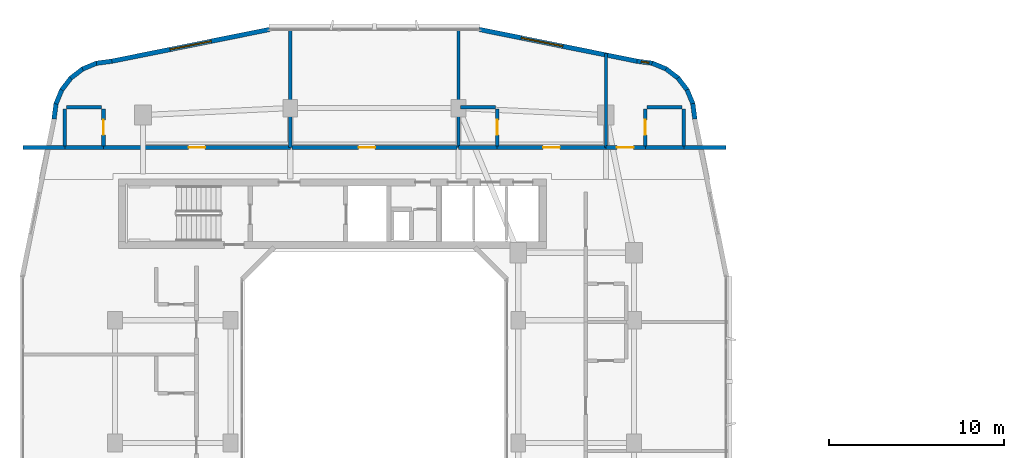
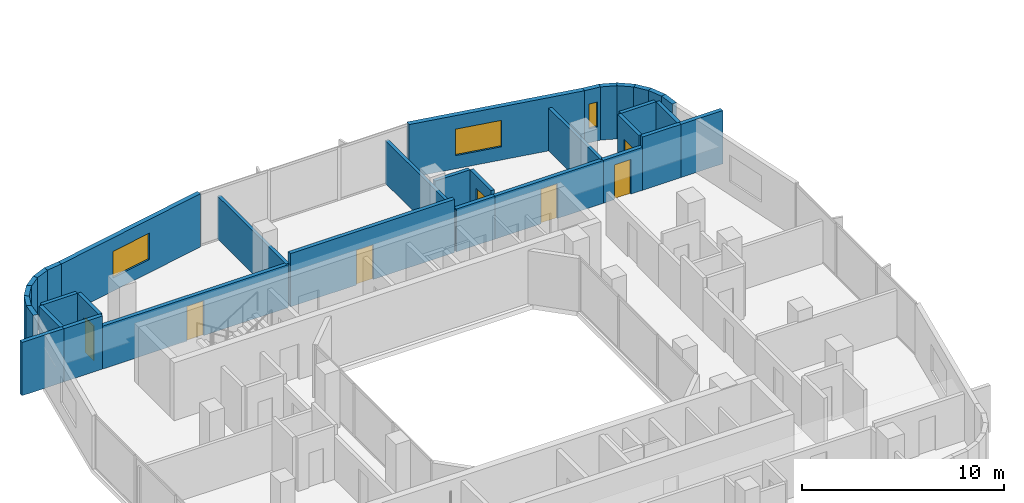
# One storey, part 16 of 26: 34 walls, 7 doors, 3 windows, 10 openings.
"""IFC4 building model written with IfcOpenShell, lengths in metres."""

from ifc_helpers import new_model, si_unit, derived_unit, direction, frame, frame_2d, origin, place, context, subcontext, project, spatial, rectangle, extrude, material, layer, layer_set, type_object, element, fill, save


model = new_model("IFC4")

# Units and contexts
model_context = context("Model", 3, precision=1e-05, world=origin(), true_north=direction((0.0, 1.0)))
body_context = subcontext(model_context, "Body", "Model", "MODEL_VIEW")
ifc_project = project(units=[si_unit("LENGTHUNIT", "METRE"), si_unit("AREAUNIT", "SQUARE_METRE"), si_unit("VOLUMEUNIT", "CUBIC_METRE"), si_unit("PLANEANGLEUNIT", "RADIAN"), si_unit("MASSUNIT", "GRAM", prefix="KILO"), derived_unit("THERMALTRANSMITTANCEUNIT", [(si_unit("POWERUNIT", "WATT"), 1), (si_unit("LENGTHUNIT", "METRE"), -2), (si_unit("THERMODYNAMICTEMPERATUREUNIT", "KELVIN"), -1)])], contexts=[model_context])

# Site, building, storey
site_placement = place(None, origin())
site = spatial("IfcSite", under=ifc_project, at=site_placement, CompositionType="ELEMENT")
building_placement = place(site_placement, origin())
building = spatial("IfcBuilding", under=site, at=building_placement, Name="Kivonza Crest Hotel", CompositionType="ELEMENT")
storey_placement = place(building_placement, frame((0.0, 0.0, 98.5)))
storey = spatial("IfcBuildingStorey", under=building, at=storey_placement, Name="L26", CompositionType="ELEMENT", Elevation=98.5)

# Walls
ifc_material_1 = material(Name="High-density acoustic masonry inter-tenancy wall", Category="masonry")
ifc_layer_1 = layer(ifc_material_1, 0.179931640625)
ifc_layer_set_1 = layer_set([ifc_layer_1], Name="High-density acoustic masonry inter-tenancy wall")
wall_type_1 = type_object("IfcWallType", Name="WL-ACOU-180", PredefinedType="SOLIDWALL", material=ifc_layer_set_1)
for number, where, z_axis, x_axis, name in (
    (1, (16.199951171875, 38.35009765625, 0.0), (0.0, 0.0, 1.0), (0.0, 1.0, 0.0), "L26 interior partition WA-L26-T1N-DIV1"),
    (2, (25.800048828125, 38.35009765625, 0.0), (0.0, 0.0, 1.0), (0.0, 1.0, 0.0), "L26 interior partition WA-L26-T1N-DIV2"),
):
    element("IfcWall", number, at=place(storey_placement, frame(where, z_axis=z_axis, x_axis=x_axis)), inside=storey, type_object=wall_type_1, Name=name, PredefinedType="SOLIDWALL", context=body_context, shape_type="SweptSolid", body=[
        extrude(rectangle(XDim=6.789794921875, YDim=0.179931640625, at=frame_2d((3.39501953125, 0.0))), origin(), (0.0, 0.0, 1.0), 2.594970703125),
    ])
wall_1_placement = place(storey_placement, frame((34.199951171875, 38.35009765625, 0.0), z_axis=(0.0, 0.0, 1.0), x_axis=(0.0, 1.0, 0.0)))
element("IfcWall", 3, at=wall_1_placement, inside=storey, type_object=wall_type_1, Name="L26 interior partition WA-L26-T1N-DIV3", PredefinedType="SOLIDWALL", context=body_context, shape_type="SweptSolid", body=[
    extrude(rectangle(XDim=5.350830078125, YDim=0.179931640625, at=frame_2d((2.67529296875, 0.0))), origin(), (0.0, 0.0, 1.0), 2.594970703125),
])
ifc_material_2 = material(Name="Autoclaved aerated concrete blockwork", Category="masonry")
ifc_layer_2 = layer(ifc_material_2, 0.219970703125)
ifc_layer_set_2 = layer_set([ifc_layer_2], Name="Autoclaved aerated concrete blockwork")
wall_type_2 = type_object("IfcWallType", Name="WL-ACOU-220", PredefinedType="SOLIDWALL", material=ifc_layer_set_2)
wall_2_placement = place(storey_placement, frame((0.9599609375, 38.35009765625, 0.0), z_axis=(0.0, 0.0, 1.0), x_axis=(1.0, 0.0, 0.0)))
element("IfcWall", 4, at=wall_2_placement, inside=storey, type_object=wall_type_2, Name="L26 interior partition WA-L26-N01-XCORR", PredefinedType="SOLIDWALL", context=body_context, shape_type="SweptSolid", body=[
    extrude(rectangle(XDim=2.39013671875, YDim=0.219970703125, at=frame_2d((1.195068359375, 0.0))), origin(), (0.0, 0.0, 1.0), 3.219970703125),
])
wall_3_placement = place(storey_placement, frame((3.35009765625, 38.35009765625, 0.0), z_axis=(0.0, 0.0, 1.0), x_axis=(1.0, 0.0, 0.0)))
element("IfcWall", 5, at=wall_3_placement, inside=storey, type_object=wall_type_2, Name="L26 interior partition WA-L26-N01-BCORR", PredefinedType="SOLIDWALL", context=body_context, shape_type="SweptSolid", body=[
    extrude(rectangle(XDim=2.199951171875, YDim=0.219970703125, at=frame_2d((1.10009765625, 0.0))), origin(), (0.0, 0.0, 1.0), 3.219970703125),
])

# Wall, opening, door
wall_4_placement = place(storey_placement, frame((5.550048828125, 38.35009765625, 0.0), z_axis=(0.0, 0.0, 1.0), x_axis=(1.0, 0.0, 0.0)))
wall_4 = element("IfcWall", 6, at=wall_4_placement, inside=storey, type_object=wall_type_2, Name="L26 interior partition WA-L26-N01-MCORR", PredefinedType="SOLIDWALL", context=body_context, shape_type="SweptSolid", body=[
    extrude(rectangle(XDim=10.64990234375, YDim=0.219970703125, at=frame_2d((5.324951171875, 0.0))), origin(), (0.0, 0.0, 1.0), 2.594970703125),
])
opening_1_placement = place(wall_4_placement, frame((4.85009765625, 0.0, 0.0)))
opening_1 = element("IfcOpeningElement", 7, at=opening_1_placement, cuts=wall_4, Name="Opening DU-60", PredefinedType="OPENING", context=body_context, shape_type="SweptSolid", body=[
    extrude(rectangle(XDim=0.949951171875, YDim=2.10009765625, at=frame_2d((0.47509765625, 1.050048828125))), frame((0.0, 0.1201171875, 0.0), z_axis=(0.0, -1.0, 0.0), x_axis=(1.0, 0.0, 0.0)), (0.0, 0.0, 1.0), 0.239990234375),
])
ifc_material_3 = material(Name="Hardwood timber oak", Category="wood")
door_type_1 = type_object("IfcDoorType", Name="DR-UNIT-950", OperationType="NOTDEFINED", PredefinedType="DOOR", material=ifc_material_3)
door_1_placement = place(opening_1_placement, origin())
door_1 = element("IfcDoor", 8, at=door_1_placement, inside=storey, type_object=door_type_1, Name="L26 N01 guest unit entrance fire door", OperationType="SINGLE_SWING_LEFT", OverallHeight=2.10009765625, OverallWidth=0.949951171875, PredefinedType="DOOR", context=body_context, shape_type="SweptSolid", body=[
    extrude(rectangle(XDim=0.949951171875, YDim=2.10009765625, at=frame_2d((0.47509765625, 1.050048828125))), frame((0.0, 0.02490234375, 0.0), z_axis=(0.0, -1.0, 0.0), x_axis=(1.0, 0.0, 0.0)), (0.0, 0.0, 1.0), 0.050048828125),
])
fill(opening_1, door_1)

wall_5_placement = place(storey_placement, frame((16.300048828125, 38.35009765625, 0.0), z_axis=(0.0, 0.0, 1.0), x_axis=(1.0, 0.0, 0.0)))
wall_5 = element("IfcWall", 9, at=wall_5_placement, inside=storey, type_object=wall_type_2, Name="L26 interior partition WA-L26-HK-MAIN-S", PredefinedType="SOLIDWALL", context=body_context, shape_type="SweptSolid", body=[
    extrude(rectangle(XDim=9.39990234375, YDim=0.219970703125, at=frame_2d((4.699951171875, 0.0))), origin(), (0.0, 0.0, 1.0), 3.219970703125),
])
opening_2_placement = place(wall_5_placement, frame((3.79296875, 0.0, 0.0)))
opening_2 = element("IfcOpeningElement", 10, at=opening_2_placement, cuts=wall_5, Name="Opening DF-60S", PredefinedType="OPENING", context=body_context, shape_type="SweptSolid", body=[
    extrude(rectangle(XDim=0.949951171875, YDim=2.10009765625, at=frame_2d((0.47509765625, 1.050048828125))), frame((0.0, 0.1201171875, 0.0), z_axis=(0.0, -1.0, 0.0), x_axis=(1.0, 0.0, 0.0)), (0.0, 0.0, 1.0), 0.239990234375),
])
door_type_2 = type_object("IfcDoorType", Name="DR-FD60-950", OperationType="NOTDEFINED", PredefinedType="DOOR", material=ifc_material_3)
door_2_placement = place(opening_2_placement, origin())
door_2 = element("IfcDoor", 11, at=door_2_placement, inside=storey, type_object=door_type_2, Name="L26 Housekeeping and Linen Room door", OperationType="SINGLE_SWING_RIGHT", OverallHeight=2.10009765625, OverallWidth=0.949951171875, PredefinedType="DOOR", context=body_context, shape_type="SweptSolid", body=[
    extrude(rectangle(XDim=0.949951171875, YDim=2.10009765625, at=frame_2d((0.47509765625, 1.050048828125))), frame((0.0, 0.02490234375, 0.0), z_axis=(0.0, -1.0, 0.0), x_axis=(1.0, 0.0, 0.0)), (0.0, 0.0, 1.0), 0.050048828125),
])
fill(opening_2, door_2)

# Wall
wall_6_placement = place(storey_placement, frame((25.800048828125, 38.35009765625, 0.0), z_axis=(0.0, 0.0, 1.0), x_axis=(1.0, 0.0, 0.0)))
element("IfcWall", 12, at=wall_6_placement, inside=storey, type_object=wall_type_2, Name="L26 interior partition WA-L26-N02-BCORR", PredefinedType="SOLIDWALL", context=body_context, shape_type="SweptSolid", body=[
    extrude(rectangle(XDim=2.199951171875, YDim=0.219970703125, at=frame_2d((1.10009765625, 0.0))), origin(), (0.0, 0.0, 1.0), 2.594970703125),
])

# Wall, opening, door
wall_7_placement = place(storey_placement, frame((28.0, 38.35009765625, 0.0), z_axis=(0.0, 0.0, 1.0), x_axis=(1.0, 0.0, 0.0)))
wall_7 = element("IfcWall", 13, at=wall_7_placement, inside=storey, type_object=wall_type_2, Name="L26 interior partition WA-L26-N02-MCORR", PredefinedType="SOLIDWALL", context=body_context, shape_type="SweptSolid", body=[
    extrude(rectangle(XDim=6.199951171875, YDim=0.219970703125, at=frame_2d((3.10009765625, 0.0))), origin(), (0.0, 0.0, 1.0), 2.594970703125),
])
opening_3_placement = place(wall_7_placement, frame((2.625, 0.0, 0.0)))
opening_3 = element("IfcOpeningElement", 14, at=opening_3_placement, cuts=wall_7, Name="Opening DU-60", PredefinedType="OPENING", context=body_context, shape_type="SweptSolid", body=[
    extrude(rectangle(XDim=0.949951171875, YDim=2.10009765625, at=frame_2d((0.47509765625, 1.050048828125))), frame((0.0, 0.1201171875, 0.0), z_axis=(0.0, -1.0, 0.0), x_axis=(1.0, 0.0, 0.0)), (0.0, 0.0, 1.0), 0.239990234375),
])
door_3_placement = place(opening_3_placement, origin())
door_3 = element("IfcDoor", 15, at=door_3_placement, inside=storey, type_object=door_type_1, Name="L26 N02 guest unit entrance fire door", OperationType="SINGLE_SWING_RIGHT", OverallHeight=2.10009765625, OverallWidth=0.949951171875, PredefinedType="DOOR", context=body_context, shape_type="SweptSolid", body=[
    extrude(rectangle(XDim=0.949951171875, YDim=2.10009765625, at=frame_2d((0.47509765625, 1.050048828125))), frame((0.0, 0.02490234375, 0.0), z_axis=(0.0, -1.0, 0.0), x_axis=(1.0, 0.0, 0.0)), (0.0, 0.0, 1.0), 0.050048828125),
])
fill(opening_3, door_3)

# Walls
wall_8_placement = place(storey_placement, frame((38.64990234375, 38.35009765625, 0.0), z_axis=(0.0, 0.0, 1.0), x_axis=(1.0, 0.0, 0.0)))
element("IfcWall", 16, at=wall_8_placement, inside=storey, type_object=wall_type_2, Name="L26 interior partition WA-L26-N03-XCORR", PredefinedType="SOLIDWALL", context=body_context, shape_type="SweptSolid", body=[
    extrude(rectangle(XDim=2.39013671875, YDim=0.219970703125, at=frame_2d((1.195068359375, 0.0))), origin(), (0.0, 0.0, 1.0), 3.219970703125),
])
wall_9_placement = place(storey_placement, frame((36.449951171875, 38.35009765625, 0.0), z_axis=(0.0, 0.0, 1.0), x_axis=(1.0, 0.0, 0.0)))
element("IfcWall", 17, at=wall_9_placement, inside=storey, type_object=wall_type_2, Name="L26 interior partition WA-L26-N03-BCORR", PredefinedType="SOLIDWALL", context=body_context, shape_type="SweptSolid", body=[
    extrude(rectangle(XDim=2.199951171875, YDim=0.219970703125, at=frame_2d((1.10009765625, 0.0))), origin(), (0.0, 0.0, 1.0), 3.219970703125),
])

# Wall, opening, door
wall_10_placement = place(storey_placement, frame((34.199951171875, 38.35009765625, 0.0), z_axis=(0.0, 0.0, 1.0), x_axis=(1.0, 0.0, 0.0)))
wall_10 = element("IfcWall", 18, at=wall_10_placement, inside=storey, type_object=wall_type_2, Name="L26 interior partition WA-L26-N03-MCORR", PredefinedType="SOLIDWALL", context=body_context, shape_type="SweptSolid", body=[
    extrude(rectangle(XDim=2.25, YDim=0.219970703125, at=frame_2d((1.125, 0.0))), origin(), (0.0, 0.0, 1.0), 2.594970703125),
])
opening_4_placement = place(wall_10_placement, frame((0.6298828125, 0.0, 0.0)))
opening_4 = element("IfcOpeningElement", 19, at=opening_4_placement, cuts=wall_10, Name="Opening DU-60", PredefinedType="OPENING", context=body_context, shape_type="SweptSolid", body=[
    extrude(rectangle(XDim=0.949951171875, YDim=2.10009765625, at=frame_2d((0.47509765625, 1.050048828125))), frame((0.0, 0.1201171875, 0.0), z_axis=(0.0, -1.0, 0.0), x_axis=(1.0, 0.0, 0.0)), (0.0, 0.0, 1.0), 0.239990234375),
])
door_4_placement = place(opening_4_placement, origin())
door_4 = element("IfcDoor", 20, at=door_4_placement, inside=storey, type_object=door_type_1, Name="L26 N03 guest unit entrance fire door", OperationType="SINGLE_SWING_LEFT", OverallHeight=2.10009765625, OverallWidth=0.949951171875, PredefinedType="DOOR", context=body_context, shape_type="SweptSolid", body=[
    extrude(rectangle(XDim=0.949951171875, YDim=2.10009765625, at=frame_2d((0.47509765625, 1.050048828125))), frame((0.0, 0.02490234375, 0.0), z_axis=(0.0, -1.0, 0.0), x_axis=(1.0, 0.0, 0.0)), (0.0, 0.0, 1.0), 0.050048828125),
])
fill(opening_4, door_4)

# Walls
ifc_material_4 = material(Name="Precast concrete C40/50", Category="concrete")
ifc_layer_3 = layer(ifc_material_4, 0.260009765625)
ifc_layer_set_3 = layer_set([ifc_layer_3], Name="Precast concrete C40/50")
wall_type_3 = type_object("IfcWallType", Name="WL-EXT-260", PredefinedType="STANDARD", material=ifc_layer_set_3)
wall_11_placement = place(storey_placement, frame((39.27197265625, 39.97509765625, 0.0), z_axis=(0.0, 0.0, 1.0), x_axis=(-0.130953706898, 0.991388484223, 0.0)))
element("IfcWall", 21, at=wall_11_placement, inside=storey, type_object=wall_type_3, Name="L26 T1 exterior insulated wall 19", PredefinedType="STANDARD", context=body_context, shape_type="SweptSolid", body=[
    extrude(rectangle(XDim=0.885498046875, YDim=0.260009765625, at=frame_2d((0.44287109375, 0.0))), origin(), (0.0, 0.0, 1.0), 3.219970703125),
])
wall_12_placement = place(storey_placement, frame((39.174072265625, 40.806884765625, 0.0), z_axis=(0.0, 0.0, 1.0), x_axis=(-0.383290660547, 0.923627776508, 0.0)))
element("IfcWall", 22, at=wall_12_placement, inside=storey, type_object=wall_type_3, Name="L26 T1 exterior insulated wall 20", PredefinedType="STANDARD", context=body_context, shape_type="SweptSolid", body=[
    extrude(rectangle(XDim=0.9033203125, YDim=0.260009765625, at=frame_2d((0.45166015625, 0.0))), origin(), (0.0, 0.0, 1.0), 3.219970703125),
])
wall_13_placement = place(storey_placement, frame((38.85595703125, 41.60107421875, 0.0), z_axis=(0.0, 0.0, 1.0), x_axis=(-0.608624690463, 0.793458244748, 0.0)))
element("IfcWall", 23, at=wall_13_placement, inside=storey, type_object=wall_type_3, Name="L26 T1 exterior insulated wall 21", PredefinedType="STANDARD", context=body_context, shape_type="SweptSolid", body=[
    extrude(rectangle(XDim=0.902099609375, YDim=0.260009765625, at=frame_2d((0.451171875, 0.0))), origin(), (0.0, 0.0, 1.0), 3.219970703125),
])
wall_14_placement = place(storey_placement, frame((38.344970703125, 42.285888671875, 0.0), z_axis=(0.0, 0.0, 1.0), x_axis=(-0.793558456666, 0.608494022858, 0.0)))
element("IfcWall", 24, at=wall_14_placement, inside=storey, type_object=wall_type_3, Name="L26 T1 exterior insulated wall 22", PredefinedType="STANDARD", context=body_context, shape_type="SweptSolid", body=[
    extrude(rectangle(XDim=0.90234375, YDim=0.260009765625, at=frame_2d((0.451171875, 0.0))), origin(), (0.0, 0.0, 1.0), 3.219970703125),
])
wall_15_placement = place(storey_placement, frame((37.673095703125, 42.81396484375, 0.0), z_axis=(0.0, 0.0, 1.0), x_axis=(-0.923683767999, 0.383155708213, 0.0)))
element("IfcWall", 25, at=wall_15_placement, inside=storey, type_object=wall_type_3, Name="L26 T1 exterior insulated wall 23", PredefinedType="STANDARD", context=body_context, shape_type="SweptSolid", body=[
    extrude(rectangle(XDim=0.90283203125, YDim=0.260009765625, at=frame_2d((0.451416015625, 0.0))), origin(), (0.0, 0.0, 1.0), 3.219970703125),
])

# Wall, opening, window
wall_16_placement = place(storey_placement, frame((36.887939453125, 43.152099609375, 0.0), z_axis=(0.0, 0.0, 1.0), x_axis=(-0.991487658083, 0.130200706103, 0.0)))
wall_16 = element("IfcWall", 26, at=wall_16_placement, inside=storey, type_object=wall_type_3, Name="L26 T1 exterior insulated wall 24", PredefinedType="STANDARD", context=body_context, shape_type="SweptSolid", body=[
    extrude(rectangle(XDim=0.920654296875, YDim=0.260009765625, at=frame_2d((0.46044921875, 0.0))), origin(), (0.0, 0.0, 1.0), 3.219970703125),
])
opening_5_placement = place(wall_16_placement, frame((0.235107421875, 0.0, 0.85009765625)))
opening_5 = element("IfcOpeningElement", 27, at=opening_5_placement, cuts=wall_16, Name="Opening WN-11", PredefinedType="OPENING", context=body_context, shape_type="SweptSolid", body=[
    extrude(rectangle(XDim=0.449951171875, YDim=1.5, at=frame_2d((0.22509765625, 0.75))), frame((0.0, 0.14013671875, 0.0), z_axis=(0.0, -1.0, 0.0), x_axis=(1.0, 0.0, 0.0)), (0.0, 0.0, 1.0), 0.280029296875),
])
ifc_material_5 = material(Name="Thermally broken bronze aluminium and low-E double glazing", Category="aluminium")
window_type_1 = type_object("IfcWindowType", Name="WN-045x150", PartitioningType="SINGLE_PANEL", PredefinedType="WINDOW", material=ifc_material_5)
window_1_placement = place(opening_5_placement, origin())
window_1 = element("IfcWindow", 28, at=window_1_placement, inside=storey, type_object=window_type_1, Name="L26 corner vision window 1", OverallHeight=1.5, OverallWidth=0.449951171875, PartitioningType="SINGLE_PANEL", PredefinedType="WINDOW", context=body_context, shape_type="SweptSolid", body=[
    extrude(rectangle(XDim=0.449951171875, YDim=1.5, at=frame_2d((0.22509765625, 0.75))), frame((0.0, 0.030029296875, 0.0), z_axis=(0.0, -1.0, 0.0), x_axis=(1.0, 0.0, 0.0)), (0.0, 0.0, 1.0), 0.06005859375),
])
fill(opening_5, window_1)

wall_17_placement = place(storey_placement, frame((35.98193359375, 43.27099609375, 0.0), z_axis=(0.0, 0.0, 1.0), x_axis=(-0.980315963543, 0.197435082048, 0.0)))
wall_17 = element("IfcWall", 29, at=wall_17_placement, inside=storey, type_object=wall_type_3, Name="L26 T1 exterior insulated wall 25", PredefinedType="STANDARD", context=body_context, shape_type="SweptSolid", body=[
    extrude(rectangle(XDim=9.1826171875, YDim=0.260009765625, at=frame_2d((4.59130859375, 0.0))), origin(), (0.0, 0.0, 1.0), 3.219970703125),
])
opening_6_placement = place(wall_17_placement, frame((4.3369140625, 0.0, 0.800048828125)))
opening_6 = element("IfcOpeningElement", 30, at=opening_6_placement, cuts=wall_17, Name="Opening WN-05", PredefinedType="OPENING", context=body_context, shape_type="SweptSolid", body=[
    extrude(rectangle(XDim=2.39990234375, YDim=1.60009765625, at=frame_2d((1.199951171875, 0.800048828125))), frame((0.0, 0.14013671875, 0.0), z_axis=(0.0, -1.0, 0.0), x_axis=(1.0, 0.0, 0.0)), (0.0, 0.0, 1.0), 0.280029296875),
])
window_type_2 = type_object("IfcWindowType", Name="WN-240x160", PartitioningType="TRIPLE_PANEL_VERTICAL", PredefinedType="WINDOW", material=ifc_material_5)
window_2_placement = place(opening_6_placement, origin())
window_2 = element("IfcWindow", 31, at=window_2_placement, inside=storey, type_object=window_type_2, Name="L26 T1 facade window 25", OverallHeight=1.60009765625, OverallWidth=2.39990234375, PartitioningType="SINGLE_PANEL", PredefinedType="WINDOW", context=body_context, shape_type="SweptSolid", body=[
    extrude(rectangle(XDim=2.39990234375, YDim=1.60009765625, at=frame_2d((1.199951171875, 0.800048828125))), frame((0.0, 0.030029296875, 0.0), z_axis=(0.0, -1.0, 0.0), x_axis=(1.0, 0.0, 0.0)), (0.0, 0.0, 1.0), 0.06005859375),
])
fill(opening_6, window_2)

wall_18_placement = place(storey_placement, frame((15.02001953125, 45.083984375, 0.0), z_axis=(0.0, 0.0, 1.0), x_axis=(-0.980315963543, -0.197435082048, 0.0)))
wall_18 = element("IfcWall", 32, at=wall_18_placement, inside=storey, type_object=wall_type_3, Name="L26 T1 exterior insulated wall 27", PredefinedType="STANDARD", context=body_context, shape_type="SweptSolid", body=[
    extrude(rectangle(XDim=9.1826171875, YDim=0.260009765625, at=frame_2d((4.59130859375, 0.0))), origin(), (0.0, 0.0, 1.0), 3.219970703125),
])
opening_7_placement = place(wall_18_placement, frame((3.39111328125, 0.0, 0.800048828125)))
opening_7 = element("IfcOpeningElement", 33, at=opening_7_placement, cuts=wall_18, Name="Opening WN-05", PredefinedType="OPENING", context=body_context, shape_type="SweptSolid", body=[
    extrude(rectangle(XDim=2.39990234375, YDim=1.60009765625, at=frame_2d((1.199951171875, 0.800048828125))), frame((0.0, 0.14013671875, 0.0), z_axis=(0.0, -1.0, 0.0), x_axis=(1.0, 0.0, 0.0)), (0.0, 0.0, 1.0), 0.280029296875),
])
window_3_placement = place(opening_7_placement, origin())
window_3 = element("IfcWindow", 34, at=window_3_placement, inside=storey, type_object=window_type_2, Name="L26 T1 facade window 27", OverallHeight=1.60009765625, OverallWidth=2.39990234375, PartitioningType="SINGLE_PANEL", PredefinedType="WINDOW", context=body_context, shape_type="SweptSolid", body=[
    extrude(rectangle(XDim=2.39990234375, YDim=1.60009765625, at=frame_2d((1.199951171875, 0.800048828125))), frame((0.0, 0.030029296875, 0.0), z_axis=(0.0, -1.0, 0.0), x_axis=(1.0, 0.0, 0.0)), (0.0, 0.0, 1.0), 0.06005859375),
])
fill(opening_7, window_3)

# Walls
wall_19_placement = place(storey_placement, frame((6.02490234375, 43.27197265625, 0.0), z_axis=(0.0, 0.0, 1.0), x_axis=(-0.991388484223, -0.130953706898, 0.0)))
element("IfcWall", 35, at=wall_19_placement, inside=storey, type_object=wall_type_3, Name="L26 T1 exterior insulated wall 28", PredefinedType="STANDARD", context=body_context, shape_type="SweptSolid", body=[
    extrude(rectangle(XDim=0.885498046875, YDim=0.260009765625, at=frame_2d((0.44287109375, 0.0))), origin(), (0.0, 0.0, 1.0), 3.219970703125),
])
wall_20_placement = place(storey_placement, frame((5.193115234375, 43.174072265625, 0.0), z_axis=(0.0, 0.0, 1.0), x_axis=(-0.923627776508, -0.383290660547, 0.0)))
element("IfcWall", 36, at=wall_20_placement, inside=storey, type_object=wall_type_3, Name="L26 T1 exterior insulated wall 29", PredefinedType="STANDARD", context=body_context, shape_type="SweptSolid", body=[
    extrude(rectangle(XDim=0.9033203125, YDim=0.260009765625, at=frame_2d((0.45166015625, 0.0))), origin(), (0.0, 0.0, 1.0), 3.219970703125),
])
wall_21_placement = place(storey_placement, frame((4.39892578125, 42.85595703125, 0.0), z_axis=(0.0, 0.0, 1.0), x_axis=(-0.793458244748, -0.608624690463, 0.0)))
element("IfcWall", 37, at=wall_21_placement, inside=storey, type_object=wall_type_3, Name="L26 T1 exterior insulated wall 30", PredefinedType="STANDARD", context=body_context, shape_type="SweptSolid", body=[
    extrude(rectangle(XDim=0.902099609375, YDim=0.260009765625, at=frame_2d((0.451171875, 0.0))), origin(), (0.0, 0.0, 1.0), 3.219970703125),
])
wall_22_placement = place(storey_placement, frame((3.714111328125, 42.344970703125, 0.0), z_axis=(0.0, 0.0, 1.0), x_axis=(-0.608494022858, -0.793558456666, 0.0)))
element("IfcWall", 38, at=wall_22_placement, inside=storey, type_object=wall_type_3, Name="L26 T1 exterior insulated wall 31", PredefinedType="STANDARD", context=body_context, shape_type="SweptSolid", body=[
    extrude(rectangle(XDim=0.90234375, YDim=0.260009765625, at=frame_2d((0.451171875, 0.0))), origin(), (0.0, 0.0, 1.0), 3.219970703125),
])
wall_23_placement = place(storey_placement, frame((3.18603515625, 41.673095703125, 0.0), z_axis=(0.0, 0.0, 1.0), x_axis=(-0.383155708213, -0.923683767999, 0.0)))
element("IfcWall", 39, at=wall_23_placement, inside=storey, type_object=wall_type_3, Name="L26 T1 exterior insulated wall 32", PredefinedType="STANDARD", context=body_context, shape_type="SweptSolid", body=[
    extrude(rectangle(XDim=0.90283203125, YDim=0.260009765625, at=frame_2d((0.451416015625, 0.0))), origin(), (0.0, 0.0, 1.0), 3.219970703125),
])
wall_24_placement = place(storey_placement, frame((2.847900390625, 40.887939453125, 0.0), z_axis=(0.0, 0.0, 1.0), x_axis=(-0.130200706103, -0.991487658083, 0.0)))
element("IfcWall", 40, at=wall_24_placement, inside=storey, type_object=wall_type_3, Name="L26 T1 exterior insulated wall 33", PredefinedType="STANDARD", context=body_context, shape_type="SweptSolid", body=[
    extrude(rectangle(XDim=0.920654296875, YDim=0.260009765625, at=frame_2d((0.46044921875, 0.0))), origin(), (0.0, 0.0, 1.0), 3.219970703125),
])

# Wall, opening, door
ifc_material_6 = material(Name="Moisture-resistant plumbing chase partition wall", Category="gypsum")
ifc_layer_4 = layer(ifc_material_6, 0.199951171875)
ifc_layer_set_4 = layer_set([ifc_layer_4], Name="Moisture-resistant plumbing chase partition wall")
wall_type_4 = type_object("IfcWallType", Name="WL-PLUMB-200", PredefinedType="PLUMBINGWALL", material=ifc_layer_set_4)
wall_25_placement = place(storey_placement, frame((5.550048828125, 38.449951171875, 0.0), z_axis=(0.0, 0.0, 1.0), x_axis=(0.0, 1.0, 0.0)))
wall_25 = element("IfcWall", 41, at=wall_25_placement, inside=storey, type_object=wall_type_4, Name="L26 interior partition WW-L26-N01-BV", PredefinedType="PLUMBINGWALL", context=body_context, shape_type="SweptSolid", body=[
    extrude(rectangle(XDim=2.10009765625, YDim=0.199951171875, at=frame_2d((1.050048828125, 0.0))), origin(), (0.0, 0.0, 1.0), 3.219970703125),
])
opening_8_placement = place(wall_25_placement, frame((0.625, 0.0, 0.0)))
opening_8 = element("IfcOpeningElement", 42, at=opening_8_placement, cuts=wall_25, Name="Opening DI-85", PredefinedType="OPENING", context=body_context, shape_type="SweptSolid", body=[
    extrude(rectangle(XDim=0.85009765625, YDim=2.10009765625, at=frame_2d((0.425048828125, 1.050048828125))), frame((0.0, 0.10986328125, 0.0), z_axis=(0.0, -1.0, 0.0), x_axis=(1.0, 0.0, 0.0)), (0.0, 0.0, 1.0), 0.219970703125),
])
door_type_3 = type_object("IfcDoorType", Name="DR-INT-850", OperationType="NOTDEFINED", PredefinedType="DOOR", material=ifc_material_3)
door_5_placement = place(opening_8_placement, frame((0.85009765625, 0.0, 0.0), z_axis=(0.0, 0.0, 1.0), x_axis=(-1.0, 0.0, 0.0)))
door_5 = element("IfcDoor", 43, at=door_5_placement, inside=storey, type_object=door_type_3, Name="L26 N01 en-suite bathroom door", OperationType="SINGLE_SWING_RIGHT", OverallHeight=2.10009765625, OverallWidth=0.85009765625, PredefinedType="DOOR", context=body_context, shape_type="SweptSolid", body=[
    extrude(rectangle(XDim=0.85009765625, YDim=2.10009765625, at=frame_2d((0.425048828125, 1.050048828125))), frame((0.0, 0.02490234375, 0.0), z_axis=(0.0, -1.0, 0.0), x_axis=(1.0, 0.0, 0.0)), (0.0, 0.0, 1.0), 0.050048828125),
])
fill(opening_8, door_5)

# Walls
wall_26_placement = place(storey_placement, frame((3.449951171875, 40.64990234375, 0.0), z_axis=(0.0, 0.0, 1.0), x_axis=(1.0, 0.0, 0.0)))
element("IfcWall", 44, at=wall_26_placement, inside=storey, type_object=wall_type_4, Name="L26 interior partition WW-L26-N01-BH", PredefinedType="PLUMBINGWALL", context=body_context, shape_type="SweptSolid", body=[
    extrude(rectangle(XDim=2.0, YDim=0.199951171875, at=frame_2d((1.0, 0.0))), origin(), (0.0, 0.0, 1.0), 3.219970703125),
])
wall_27_placement = place(storey_placement, frame((3.35009765625, 38.449951171875, 0.0), z_axis=(0.0, 0.0, 1.0), x_axis=(0.0, 1.0, 0.0)))
element("IfcWall", 45, at=wall_27_placement, inside=storey, type_object=wall_type_4, Name="L26 interior partition WW-L26-N01-BVW", PredefinedType="PLUMBINGWALL", context=body_context, shape_type="SweptSolid", body=[
    extrude(rectangle(XDim=2.10009765625, YDim=0.199951171875, at=frame_2d((1.050048828125, 0.0))), origin(), (0.0, 0.0, 1.0), 3.219970703125),
])

# Wall, opening, door
wall_28_placement = place(storey_placement, frame((28.0, 38.449951171875, 0.0), z_axis=(0.0, 0.0, 1.0), x_axis=(0.0, 1.0, 0.0)))
wall_28 = element("IfcWall", 46, at=wall_28_placement, inside=storey, type_object=wall_type_4, Name="L26 interior partition WW-L26-N02-BV", PredefinedType="PLUMBINGWALL", context=body_context, shape_type="SweptSolid", body=[
    extrude(rectangle(XDim=2.10009765625, YDim=0.199951171875, at=frame_2d((1.050048828125, 0.0))), origin(), (0.0, 0.0, 1.0), 2.8349609375),
])
opening_9_placement = place(wall_28_placement, frame((0.625, 0.0, 0.0)))
opening_9 = element("IfcOpeningElement", 47, at=opening_9_placement, cuts=wall_28, Name="Opening DI-85", PredefinedType="OPENING", context=body_context, shape_type="SweptSolid", body=[
    extrude(rectangle(XDim=0.85009765625, YDim=2.10009765625, at=frame_2d((0.425048828125, 1.050048828125))), frame((0.0, 0.10986328125, 0.0), z_axis=(0.0, -1.0, 0.0), x_axis=(1.0, 0.0, 0.0)), (0.0, 0.0, 1.0), 0.219970703125),
])
door_6_placement = place(opening_9_placement, frame((0.85009765625, 0.0, 0.0), z_axis=(0.0, 0.0, 1.0), x_axis=(-1.0, 0.0, 0.0)))
door_6 = element("IfcDoor", 48, at=door_6_placement, inside=storey, type_object=door_type_3, Name="L26 N02 en-suite bathroom door", OperationType="SINGLE_SWING_LEFT", OverallHeight=2.10009765625, OverallWidth=0.85009765625, PredefinedType="DOOR", context=body_context, shape_type="SweptSolid", body=[
    extrude(rectangle(XDim=0.85009765625, YDim=2.10009765625, at=frame_2d((0.425048828125, 1.050048828125))), frame((0.0, 0.02490234375, 0.0), z_axis=(0.0, -1.0, 0.0), x_axis=(1.0, 0.0, 0.0)), (0.0, 0.0, 1.0), 0.050048828125),
])
fill(opening_9, door_6)

# Wall
wall_29_placement = place(storey_placement, frame((25.89990234375, 40.64990234375, 0.0), z_axis=(0.0, 0.0, 1.0), x_axis=(1.0, 0.0, 0.0)))
element("IfcWall", 49, at=wall_29_placement, inside=storey, type_object=wall_type_4, Name="L26 interior partition WW-L26-N02-BH", PredefinedType="PLUMBINGWALL", context=body_context, shape_type="SweptSolid", body=[
    extrude(rectangle(XDim=2.0, YDim=0.199951171875, at=frame_2d((1.0, 0.0))), origin(), (0.0, 0.0, 1.0), 2.8349609375),
])

# Wall, opening, door
wall_30_placement = place(storey_placement, frame((36.449951171875, 38.449951171875, 0.0), z_axis=(0.0, 0.0, 1.0), x_axis=(0.0, 1.0, 0.0)))
wall_30 = element("IfcWall", 50, at=wall_30_placement, inside=storey, type_object=wall_type_4, Name="L26 interior partition WW-L26-N03-BV", PredefinedType="PLUMBINGWALL", context=body_context, shape_type="SweptSolid", body=[
    extrude(rectangle(XDim=2.10009765625, YDim=0.199951171875, at=frame_2d((1.050048828125, 0.0))), origin(), (0.0, 0.0, 1.0), 3.219970703125),
])
opening_10_placement = place(wall_30_placement, frame((0.625, 0.0, 0.0)))
opening_10 = element("IfcOpeningElement", 51, at=opening_10_placement, cuts=wall_30, Name="Opening DI-85", PredefinedType="OPENING", context=body_context, shape_type="SweptSolid", body=[
    extrude(rectangle(XDim=0.85009765625, YDim=2.10009765625, at=frame_2d((0.425048828125, 1.050048828125))), frame((0.0, 0.10986328125, 0.0), z_axis=(0.0, -1.0, 0.0), x_axis=(1.0, 0.0, 0.0)), (0.0, 0.0, 1.0), 0.219970703125),
])
door_7_placement = place(opening_10_placement, origin())
door_7 = element("IfcDoor", 52, at=door_7_placement, inside=storey, type_object=door_type_3, Name="L26 N03 en-suite bathroom door", OperationType="SINGLE_SWING_RIGHT", OverallHeight=2.10009765625, OverallWidth=0.85009765625, PredefinedType="DOOR", context=body_context, shape_type="SweptSolid", body=[
    extrude(rectangle(XDim=0.85009765625, YDim=2.10009765625, at=frame_2d((0.425048828125, 1.050048828125))), frame((0.0, 0.02490234375, 0.0), z_axis=(0.0, -1.0, 0.0), x_axis=(1.0, 0.0, 0.0)), (0.0, 0.0, 1.0), 0.050048828125),
])
fill(opening_10, door_7)

# Walls
wall_31_placement = place(storey_placement, frame((36.550048828125, 40.64990234375, 0.0), z_axis=(0.0, 0.0, 1.0), x_axis=(1.0, 0.0, 0.0)))
element("IfcWall", 53, at=wall_31_placement, inside=storey, type_object=wall_type_4, Name="L26 interior partition WW-L26-N03-BH", PredefinedType="PLUMBINGWALL", context=body_context, shape_type="SweptSolid", body=[
    extrude(rectangle(XDim=2.0, YDim=0.199951171875, at=frame_2d((1.0, 0.0))), origin(), (0.0, 0.0, 1.0), 3.219970703125),
])
wall_32_placement = place(storey_placement, frame((38.64990234375, 38.449951171875, 0.0), z_axis=(0.0, 0.0, 1.0), x_axis=(0.0, 1.0, 0.0)))
element("IfcWall", 54, at=wall_32_placement, inside=storey, type_object=wall_type_4, Name="L26 interior partition WW-L26-N03-BVE", PredefinedType="PLUMBINGWALL", context=body_context, shape_type="SweptSolid", body=[
    extrude(rectangle(XDim=2.10009765625, YDim=0.199951171875, at=frame_2d((1.050048828125, 0.0))), origin(), (0.0, 0.0, 1.0), 3.219970703125),
])

save(model, "model.ifc")
